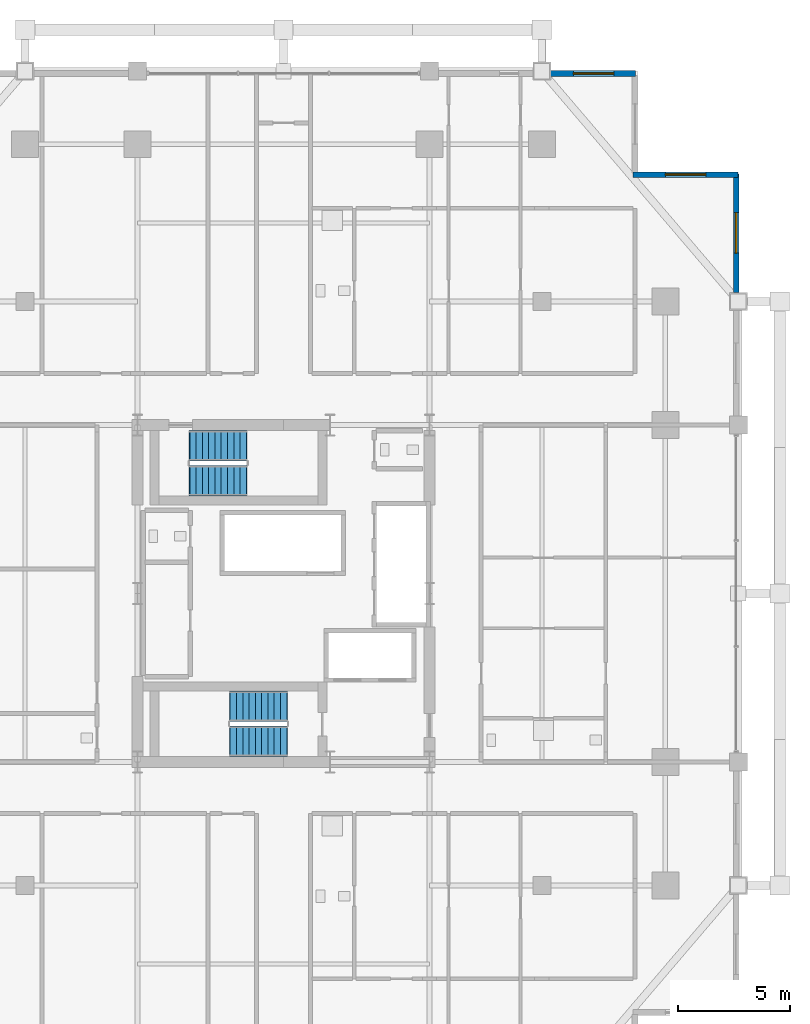
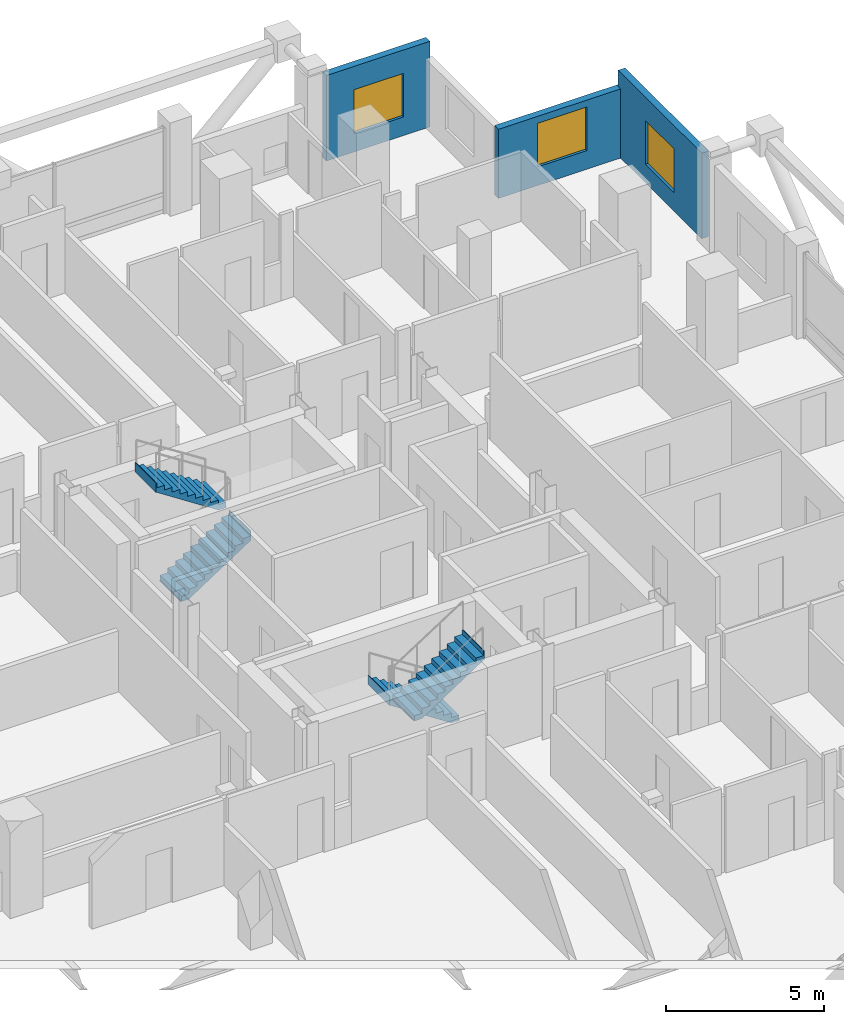
# One storey, part 23 of 25: 4 stair flights, 3 walls, 3 windows, 3 openings, 2 elements without a shape of their own.
"""IFC4 building model written with IfcOpenShell, lengths in metres."""

import ifcopenshell
import ifcopenshell.guid

model = None  # the IFC model being written
_history = None  # IfcOwnerHistory: only IFC2X3 demands one
_inside = {}  # id of a spatial element -> (the spatial element, [elements in it])
_under = {}  # id of a project, library or spatial element -> (it, [spatial elements below it])
_declared = {}  # id of a project -> (the project, [libraries it declares])
_typed = {}  # id of a type object -> (the type object, [elements of that type])
_made_of = {}  # id of a material, layer set ... -> (it, [elements and type objects made of it])


def new_model(schema):
    """Start an empty IFC model of exactly this schema.

    Asked for "IFC4X3", IfcOpenShell would pick the latest addendum, in which some entities
    have other attributes; the version numbers below select the first issue.
    IFC2X3 requires an IfcOwnerHistory on every rooted entity: one is made here for all.
    """
    global model, _history
    if schema == "IFC4X3":
        model = ifcopenshell.file(schema_version=(4, 3, 0, 0))
    else:
        model = ifcopenshell.file(schema=schema)
    _inside.clear()
    _under.clear()
    _declared.clear()
    _typed.clear()
    _made_of.clear()
    _history = None
    if model.schema == "IFC2X3":
        org = make("IfcOrganization", Name="unknown")
        user = make(
            "IfcPersonAndOrganization",
            ThePerson=make("IfcPerson", FamilyName="unknown"),
            TheOrganization=org,
        )
        app = make(
            "IfcApplication",
            ApplicationDeveloper=org,
            Version="unknown",
            ApplicationFullName="unknown",
            ApplicationIdentifier="unknown",
        )
        _history = make(
            "IfcOwnerHistory",
            OwningUser=user,
            OwningApplication=app,
            ChangeAction="ADDED",
            CreationDate=0,
        )
    return model


def make(cls, **values):
    """One entity of the class cls with the attributes given. An attribute that is None is left unset."""
    return model.create_entity(
        cls, **{name: value for name, value in values.items() if value is not None}
    )


def rooted(cls, **values):
    """An entity with a GlobalId (a new one), such as an element, a storey or a relation."""
    return make(cls, GlobalId=ifcopenshell.guid.new(), OwnerHistory=_history, **values)


def si_unit(unit_type, name, prefix=None):
    """IfcSIUnit, for example si_unit("LENGTHUNIT", "METRE", prefix="MILLI")."""
    return make("IfcSIUnit", UnitType=unit_type, Prefix=prefix, Name=name)


def assignment(units):
    """IfcUnitAssignment: the units of a project."""
    return None if units is None else make("IfcUnitAssignment", Units=units)


def point(xyz):
    """IfcCartesianPoint."""
    return None if xyz is None else make("IfcCartesianPoint", Coordinates=xyz)


def direction(xyz):
    """IfcDirection."""
    return None if xyz is None else make("IfcDirection", DirectionRatios=xyz)


def frame(location, z_axis=None, x_axis=None):
    """IfcAxis2Placement3D, a coordinate frame: its origin and axes. An axis left out is left unset."""
    return make(
        "IfcAxis2Placement3D",
        Location=point(location),
        Axis=direction(z_axis),
        RefDirection=direction(x_axis),
    )


def frame_2d(location, x_axis=None):
    """IfcAxis2Placement2D, a coordinate frame in the plane: its origin and x axis."""
    return make(
        "IfcAxis2Placement2D", Location=point(location), RefDirection=direction(x_axis)
    )


def origin():
    """The frame at (0, 0, 0) with its axes left unset."""
    return frame((0.0, 0.0, 0.0))


def place(relative_to, where):
    """IfcLocalPlacement: puts the frame where relative to a parent placement (None: the world)."""
    return make(
        "IfcLocalPlacement", PlacementRelTo=relative_to, RelativePlacement=where
    )


def context(
    kind, dimensions, precision=None, world=None, true_north=None, identifier=None
):
    """IfcGeometricRepresentationContext, for example the 3D "Model" context."""
    return make(
        "IfcGeometricRepresentationContext",
        ContextIdentifier=identifier,
        ContextType=kind,
        CoordinateSpaceDimension=dimensions,
        Precision=precision,
        WorldCoordinateSystem=world,
        TrueNorth=true_north,
    )


def subcontext(parent, identifier, kind, view, scale=None):
    """IfcGeometricRepresentationSubContext, for example "Body" below "Model"."""
    return make(
        "IfcGeometricRepresentationSubContext",
        ContextIdentifier=identifier,
        ContextType=kind,
        ParentContext=parent,
        TargetScale=scale,
        TargetView=view,
    )


def project(units=None, contexts=None):
    """IfcProject with its units and contexts."""
    return rooted(
        "IfcProject",
        Name="project",
        RepresentationContexts=contexts,
        UnitsInContext=assignment(units),
    )


def spatial(cls, under=None, at=None, **own):
    """A site, building, storey or space (cls), placed at a placement, below another one or the project."""
    s = rooted(cls, ObjectPlacement=at, **own)
    if under is not None:
        _under.setdefault(under.id(), (under, []))[1].append(s)
    return s


def polyline(points):
    """IfcPolyline through the points."""
    return make("IfcPolyline", Points=[point(p) for p in points])


def profile(cls, at=None, kind="AREA", **sizes):
    """A parametric profile (cls). Its sizes go by their IFC names, for example OverallWidth=200.0."""
    return make(cls, ProfileType=kind, Position=at, **sizes)


def rectangle(**sizes):
    """IfcRectangleProfileDef."""
    return profile("IfcRectangleProfileDef", **sizes)


def outline(outer, holes=None, kind="AREA"):
    """IfcArbitraryClosedProfileDef: a profile drawn as a closed curve; with holes, ...WithVoids."""
    if holes is None:
        return make("IfcArbitraryClosedProfileDef", ProfileType=kind, OuterCurve=outer)
    return make(
        "IfcArbitraryProfileDefWithVoids",
        ProfileType=kind,
        OuterCurve=outer,
        InnerCurves=holes,
    )


def extrude(swept, where, along, depth):
    """IfcExtrudedAreaSolid: the profile swept, set in the frame where, extruded along a direction by depth."""
    return make(
        "IfcExtrudedAreaSolid",
        SweptArea=swept,
        Position=where,
        ExtrudedDirection=direction(along),
        Depth=depth,
    )


def shape(context_of_items, identifier, shape_type, items):
    """IfcShapeRepresentation: the items that make up one representation, for example the "Body"."""
    return make(
        "IfcShapeRepresentation",
        ContextOfItems=context_of_items,
        RepresentationIdentifier=identifier,
        RepresentationType=shape_type,
        Items=items,
    )


def material(Name=None, Category=None):
    """IfcMaterial."""
    return make("IfcMaterial", Name=Name, Category=Category)


def layer(
    of_material, thickness, ventilated=None, Name=None, Category=None, Priority=None
):
    """IfcMaterialLayer: one layer of a wall or slab, of a material (None: an air gap)."""
    return make(
        "IfcMaterialLayer",
        Material=of_material,
        LayerThickness=thickness,
        IsVentilated=ventilated,
        Name=Name,
        Category=Category,
        Priority=Priority,
    )


def layer_set(layers, Name=None):
    """IfcMaterialLayerSet."""
    return make("IfcMaterialLayerSet", MaterialLayers=layers, LayerSetName=Name)


def made_of(thing, what):
    """Note that an element or type object is made of a material, layer set ...; save() writes the relation."""
    if what is not None:
        _made_of.setdefault(what.id(), (what, []))[1].append(thing)
    return thing


def type_object(cls, material=None, **own):
    """A type object (cls), such as IfcWallType, which elements share."""
    return made_of(rooted(cls, **own), material)


def element(
    cls,
    number,
    at=None,
    inside=None,
    cuts=None,
    type_object=None,
    material=None,
    context=None,
    identifier="Body",
    shape_type=None,
    held_by="IfcProductDefinitionShape",
    body=None,
    shapes=None,
    **own,
):
    """One element of the class cls, such as IfcWall. Its Tag is "e" and its number.

    at: its placement. inside: the storey or other place that contains it. cuts: it is an
    opening in that element (IfcRelVoidsElement). A single representation is given by context,
    identifier, shape_type and body (its items); several are given by shapes. held_by: the class
    of the entity that holds the representations. save() writes the other relations.
    """
    e = rooted(cls, Tag="e%d" % number, ObjectPlacement=at, **own)
    if body is not None:
        shapes = [shape(context, identifier, shape_type, body)]
    if shapes is not None:
        e.Representation = make(held_by, Representations=shapes)
    if inside is not None:
        _inside.setdefault(inside.id(), (inside, []))[1].append(e)
    if cuts is not None:
        rooted(
            "IfcRelVoidsElement", RelatingBuildingElement=cuts, RelatedOpeningElement=e
        )
    if type_object is not None:
        _typed.setdefault(type_object.id(), (type_object, []))[1].append(e)
    return made_of(e, material)


def fill(opening, filler):
    """IfcRelFillsElement: the door or window that sits in an opening."""
    return rooted(
        "IfcRelFillsElement",
        RelatingOpeningElement=opening,
        RelatedBuildingElement=filler,
    )


def aggregate(whole, parts):
    """IfcRelAggregates: a whole, such as a stair, and the parts it consists of."""
    return rooted("IfcRelAggregates", RelatingObject=whole, RelatedObjects=parts)


def save(model, path):
    """Write the relations noted so far, then the file.

    IfcRelAggregates (storeys below a building ...), IfcRelContainedInSpatialStructure (elements
    in a storey), IfcRelDefinesByType, IfcRelAssociatesMaterial and IfcRelDeclares: one each for
    every whole, place, type object, material and project.
    """
    for whole, parts in _under.values():
        aggregate(whole, parts)
    for where, things in _inside.values():
        rooted(
            "IfcRelContainedInSpatialStructure",
            RelatedElements=things,
            RelatingStructure=where,
        )
    for kind, things in _typed.values():
        rooted("IfcRelDefinesByType", RelatedObjects=things, RelatingType=kind)
    for what, things in _made_of.values():
        rooted("IfcRelAssociatesMaterial", RelatedObjects=things, RelatingMaterial=what)
    for by, libraries in _declared.values():
        rooted("IfcRelDeclares", RelatingContext=by, RelatedDefinitions=libraries)
    model.write(path)


model = new_model("IFC4")

# Units and contexts
model_context = context("Model", 3, precision=1e-05, world=origin(), true_north=direction((0.0, 1.0)))
body_context = subcontext(model_context, "Body", "Model", "MODEL_VIEW")
ifc_project = project(units=[si_unit("LENGTHUNIT", "METRE"), si_unit("AREAUNIT", "SQUARE_METRE"), si_unit("VOLUMEUNIT", "CUBIC_METRE"), si_unit("PLANEANGLEUNIT", "RADIAN"), si_unit("MASSUNIT", "GRAM", prefix="KILO")], contexts=[model_context])

# Site, building, storey
site_placement = place(None, origin())
site = spatial("IfcSite", under=ifc_project, at=site_placement, CompositionType="ELEMENT")
building_placement = place(site_placement, origin())
building = spatial("IfcBuilding", under=site, at=building_placement, Name="Barlavira Tower and Art Museum", CompositionType="ELEMENT")
storey_placement = place(building_placement, frame((0.0, 0.0, 162.0)))
storey = spatial("IfcBuildingStorey", under=building, at=storey_placement, Name="L41", CompositionType="ELEMENT", Elevation=162.0)

# Wall, opening, window
ifc_material_1 = material(Name="Precast concrete C40", Category="concrete")
ifc_layer = layer(ifc_material_1, 0.25, Name="Precast concrete C40")
ifc_layer_set = layer_set([ifc_layer], Name="Precast concrete C40")
wall_type = type_object("IfcWallType", Name="Notched Corner Spandrel Wall 250 Precast Concrete C40", PredefinedType="SOLIDWALL", material=ifc_layer_set)
wall_1_placement = place(storey_placement, frame((15.675048828125, 23.14990234375, 0.0), z_axis=(0.0, 0.0, 1.0), x_axis=(-1.0, 0.0, 0.0)))
wall_1 = element("IfcWall", 1, at=wall_1_placement, inside=storey, type_object=wall_type, Name="L41 Coastal Facade Pier Wall CW2-L41-N-1", PredefinedType="SOLIDWALL", context=body_context, shape_type="SweptSolid", body=[
    extrude(rectangle(XDim=3.780029296875, YDim=0.25, at=frame_2d((1.89013671875, 0.0))), origin(), (0.0, 0.0, 1.0), 3.300048828125),
])
opening_1_placement = place(wall_1_placement, frame((0.968017578125, 0.0, 0.719970703125)))
opening_1 = element("IfcOpeningElement", 2, at=opening_1_placement, cuts=wall_1, Name="Opening WN-01", PredefinedType="OPENING", context=body_context, shape_type="SweptSolid", body=[
    extrude(rectangle(XDim=1.800048828125, YDim=1.679931640625, at=frame_2d((0.89990234375, 0.83984375))), frame((0.0, 0.135009765625, 0.0), z_axis=(0.0, -1.0, 0.0), x_axis=(1.0, 0.0, 0.0)), (0.0, 0.0, 1.0), 0.27001953125),
])
ifc_material_2 = material(Name="Low-iron coastal laminated glass", Category="glass")
window_type = type_object("IfcWindowType", Name="Recessed Notch Corner Punch Window 1800x1680", PartitioningType="SINGLE_PANEL", PredefinedType="WINDOW", material=ifc_material_2)
window_1_placement = place(opening_1_placement, origin())
window_1 = element("IfcWindow", 3, at=window_1_placement, inside=storey, type_object=window_type, Name="L41 Punched Facade Window EWP-CW2-L41-N-1-1", OverallHeight=1.679931640625, OverallWidth=1.800048828125, PartitioningType="SINGLE_PANEL", PredefinedType="WINDOW", context=body_context, shape_type="SweptSolid", body=[
    extrude(rectangle(XDim=1.800048828125, YDim=1.679931640625, at=frame_2d((0.89990234375, 0.83984375))), frame((0.0, 0.030029296875, 0.0), z_axis=(0.0, -1.0, 0.0), x_axis=(1.0, 0.0, 0.0)), (0.0, 0.0, 1.0), 0.06005859375),
])
fill(opening_1, window_1)

wall_2_placement = place(storey_placement, frame((20.14990234375, 13.39501953125, 0.0), z_axis=(0.0, 0.0, 1.0), x_axis=(0.0, 1.0, 0.0)))
wall_2 = element("IfcWall", 4, at=wall_2_placement, inside=storey, type_object=wall_type, Name="L41 Coastal Facade Pier Wall CW2-L41-E-5", PredefinedType="SOLIDWALL", context=body_context, shape_type="SweptSolid", body=[
    extrude(rectangle(XDim=5.280029296875, YDim=0.25, at=frame_2d((2.64013671875, 0.0))), origin(), (0.0, 0.0, 1.0), 3.300048828125),
])
opening_2_placement = place(wall_2_placement, frame((1.762939453125, 0.0, 0.719970703125)))
opening_2 = element("IfcOpeningElement", 5, at=opening_2_placement, cuts=wall_2, Name="Opening WN-01", PredefinedType="OPENING", context=body_context, shape_type="SweptSolid", body=[
    extrude(rectangle(XDim=1.800048828125, YDim=1.679931640625, at=frame_2d((0.89990234375, 0.83984375))), frame((0.0, 0.135009765625, 0.0), z_axis=(0.0, -1.0, 0.0), x_axis=(1.0, 0.0, 0.0)), (0.0, 0.0, 1.0), 0.27001953125),
])
window_2_placement = place(opening_2_placement, origin())
window_2 = element("IfcWindow", 6, at=window_2_placement, inside=storey, type_object=window_type, Name="L41 Punched Facade Window EWP-CW2-L41-E-5-1", OverallHeight=1.679931640625, OverallWidth=1.800048828125, PartitioningType="SINGLE_PANEL", PredefinedType="WINDOW", context=body_context, shape_type="SweptSolid", body=[
    extrude(rectangle(XDim=1.800048828125, YDim=1.679931640625, at=frame_2d((0.89990234375, 0.83984375))), frame((0.0, 0.030029296875, 0.0), z_axis=(0.0, -1.0, 0.0), x_axis=(1.0, 0.0, 0.0)), (0.0, 0.0, 1.0), 0.06005859375),
])
fill(opening_2, window_2)

wall_3_placement = place(storey_placement, frame((20.22998046875, 18.64990234375, 0.0), z_axis=(0.0, 0.0, 1.0), x_axis=(-1.0, 0.0, 0.0)))
wall_3 = element("IfcWall", 7, at=wall_3_placement, inside=storey, type_object=wall_type, Name="L41 Notch Corner Wall NE1", PredefinedType="SOLIDWALL", context=body_context, shape_type="SweptSolid", body=[
    extrude(rectangle(XDim=4.659912109375, YDim=0.25, at=frame_2d((2.330078125, 0.0))), origin(), (0.0, 0.0, 1.0), 2.66796875),
])
opening_3_placement = place(wall_3_placement, frame((1.429931640625, 0.0, 0.719970703125)))
opening_3 = element("IfcOpeningElement", 8, at=opening_3_placement, cuts=wall_3, Name="Opening WN-01", PredefinedType="OPENING", context=body_context, shape_type="SweptSolid", body=[
    extrude(rectangle(XDim=1.800048828125, YDim=1.679931640625, at=frame_2d((0.89990234375, 0.83984375))), frame((0.0, 0.135009765625, 0.0), z_axis=(0.0, -1.0, 0.0), x_axis=(1.0, 0.0, 0.0)), (0.0, 0.0, 1.0), 0.27001953125),
])
window_3_placement = place(opening_3_placement, origin())
window_3 = element("IfcWindow", 9, at=window_3_placement, inside=storey, type_object=window_type, Name="L41 Punched Facade Window EW-NTC-L41-NE1-1", OverallHeight=1.679931640625, OverallWidth=1.800048828125, PartitioningType="SINGLE_PANEL", PredefinedType="WINDOW", context=body_context, shape_type="SweptSolid", body=[
    extrude(rectangle(XDim=1.800048828125, YDim=1.679931640625, at=frame_2d((0.89990234375, 0.83984375))), frame((0.0, 0.030029296875, 0.0), z_axis=(0.0, -1.0, 0.0), x_axis=(1.0, 0.0, 0.0)), (0.0, 0.0, 1.0), 0.06005859375),
])
fill(opening_3, window_3)

# Stair, stair flights
ifc_material_3 = material(Name="Concrete C45", Category="concrete")
stair_type_1 = type_object("IfcStairType", Name="Tower North Dog-Leg Exit Stair Assembly Concrete C45", PredefinedType="TWO_QUARTER_TURN_STAIR", material=ifc_material_3)
stair_1_placement = place(storey_placement, origin())
stair_1 = element("IfcStair", 10, at=stair_1_placement, inside=storey, type_object=stair_type_1, Name="L41 Tower North Exit Stair ST-T2", PredefinedType="TWO_QUARTER_TURN_STAIR")
ifc_material_4 = material(Name="Precast concrete C45", Category="concrete")
stair_flight_type_1 = type_object("IfcStairFlightType", Name="Tower North Dog-Leg Exit Stair Precast Flight 1350 Concrete C45", PredefinedType="STRAIGHT", material=ifc_material_4)
stair_flight_1_placement = place(storey_placement, frame((-4.169921875, 5.02490234375, 0.0), z_axis=(0.0, 0.0, 1.0), x_axis=(1.0, 0.0, 0.0)))
stair_flight_1 = element("IfcStairFlight", 11, at=stair_flight_1_placement, type_object=stair_flight_type_1, Name="ST-T2 flight 1", NumberOfRisers=10, NumberOfTreads=9, PredefinedType="STRAIGHT", RiserHeight=0.18, TreadLength=0.28, context=body_context, shape_type="SweptSolid", body=[
    extrude(outline(polyline([(-0.02490234375, 0.0), (0.0, 0.0), (0.0, 0.179931640625), (0.280029296875, 0.179931640625), (0.280029296875, 0.360107421875), (0.56005859375, 0.360107421875), (0.56005859375, 0.5400390625), (0.840087890625, 0.5400390625), (0.840087890625, 0.719970703125), (1.1201171875, 0.719970703125), (1.1201171875, 0.89990234375), (1.39990234375, 0.89990234375), (1.39990234375, 1.080078125), (1.679931640625, 1.080078125), (1.679931640625, 1.260009765625), (1.9599609375, 1.260009765625), (1.9599609375, 1.43994140625), (2.239990234375, 1.43994140625), (2.239990234375, 1.6201171875), (2.52001953125, 1.6201171875), (2.52001953125, 1.800048828125), (2.544921875, 1.800048828125), (2.544921875, 1.44189453125), (2.52001953125, 1.44189453125), (0.277099609375, -0.02490234375), (-0.02490234375, -0.02490234375), (-0.02490234375, 0.0)])), frame((0.0, 0.675048828125, 0.0), z_axis=(0.0, -1.0, 0.0), x_axis=(1.0, 0.0, 0.0)), (0.0, 0.0, 1.0), 1.35009765625),
])
stair_flight_2_placement = place(storey_placement, frame((-1.64990234375, 6.574951171875, 1.800048828125), z_axis=(0.0, 0.0, 1.0), x_axis=(-1.0, 0.0, 0.0)))
stair_flight_2 = element("IfcStairFlight", 12, at=stair_flight_2_placement, type_object=stair_flight_type_1, Name="ST-T2 flight 2", NumberOfRisers=10, NumberOfTreads=9, PredefinedType="STRAIGHT", RiserHeight=0.18, TreadLength=0.28, context=body_context, shape_type="SweptSolid", body=[
    extrude(outline(polyline([(-0.02490234375, 0.0), (0.0, 0.0), (0.0, 0.179931640625), (0.280029296875, 0.179931640625), (0.280029296875, 0.360107421875), (0.56005859375, 0.360107421875), (0.56005859375, 0.5400390625), (0.840087890625, 0.5400390625), (0.840087890625, 0.719970703125), (1.1201171875, 0.719970703125), (1.1201171875, 0.89990234375), (1.39990234375, 0.89990234375), (1.39990234375, 1.080078125), (1.679931640625, 1.080078125), (1.679931640625, 1.260009765625), (1.9599609375, 1.260009765625), (1.9599609375, 1.43994140625), (2.239990234375, 1.43994140625), (2.239990234375, 1.6201171875), (2.52001953125, 1.6201171875), (2.52001953125, 1.800048828125), (2.544921875, 1.800048828125), (2.544921875, 1.44189453125), (2.52001953125, 1.44189453125), (0.277099609375, -0.02490234375), (-0.02490234375, -0.02490234375), (-0.02490234375, 0.0)])), frame((0.0, 0.675048828125, 0.0), z_axis=(0.0, -1.0, 0.0), x_axis=(1.0, 0.0, 0.0)), (0.0, 0.0, 1.0), 1.35009765625),
])
aggregate(stair_1, [stair_flight_1, stair_flight_2])

stair_type_2 = type_object("IfcStairType", Name="Tower South Dog-Leg Exit Stair Assembly Concrete C45", PredefinedType="TWO_QUARTER_TURN_STAIR", material=ifc_material_3)
stair_2_placement = place(storey_placement, origin())
stair_2 = element("IfcStair", 13, at=stair_2_placement, inside=storey, type_object=stair_type_2, Name="L41 Tower South Exit Stair ST-T1", PredefinedType="TWO_QUARTER_TURN_STAIR")
stair_flight_type_2 = type_object("IfcStairFlightType", Name="Tower South Dog-Leg Exit Stair Precast Flight 1350 Concrete C45", PredefinedType="STRAIGHT", material=ifc_material_4)
stair_flight_3_placement = place(storey_placement, frame((0.14990234375, -5.02490234375, 0.0), z_axis=(0.0, 0.0, 1.0), x_axis=(-1.0, 0.0, 0.0)))
stair_flight_3 = element("IfcStairFlight", 14, at=stair_flight_3_placement, type_object=stair_flight_type_2, Name="ST-T1 flight 1", NumberOfRisers=10, NumberOfTreads=9, PredefinedType="STRAIGHT", RiserHeight=0.18, TreadLength=0.28, context=body_context, shape_type="SweptSolid", body=[
    extrude(outline(polyline([(-0.02490234375, 0.0), (0.0, 0.0), (0.0, 0.179931640625), (0.280029296875, 0.179931640625), (0.280029296875, 0.360107421875), (0.56005859375, 0.360107421875), (0.56005859375, 0.5400390625), (0.840087890625, 0.5400390625), (0.840087890625, 0.719970703125), (1.1201171875, 0.719970703125), (1.1201171875, 0.89990234375), (1.39990234375, 0.89990234375), (1.39990234375, 1.080078125), (1.679931640625, 1.080078125), (1.679931640625, 1.260009765625), (1.9599609375, 1.260009765625), (1.9599609375, 1.43994140625), (2.239990234375, 1.43994140625), (2.239990234375, 1.6201171875), (2.52001953125, 1.6201171875), (2.52001953125, 1.800048828125), (2.544921875, 1.800048828125), (2.544921875, 1.44189453125), (2.52001953125, 1.44189453125), (0.277099609375, -0.02490234375), (-0.02490234375, -0.02490234375), (-0.02490234375, 0.0)])), frame((0.0, 0.675048828125, 0.0), z_axis=(0.0, -1.0, 0.0), x_axis=(1.0, 0.0, 0.0)), (0.0, 0.0, 1.0), 1.35009765625),
])
stair_flight_4_placement = place(storey_placement, frame((-2.3701171875, -6.574951171875, 1.800048828125), z_axis=(0.0, 0.0, 1.0), x_axis=(1.0, 0.0, 0.0)))
stair_flight_4 = element("IfcStairFlight", 15, at=stair_flight_4_placement, type_object=stair_flight_type_2, Name="ST-T1 flight 2", NumberOfRisers=10, NumberOfTreads=9, PredefinedType="STRAIGHT", RiserHeight=0.18, TreadLength=0.28, context=body_context, shape_type="SweptSolid", body=[
    extrude(outline(polyline([(-0.02490234375, 0.0), (0.0, 0.0), (0.0, 0.179931640625), (0.280029296875, 0.179931640625), (0.280029296875, 0.360107421875), (0.56005859375, 0.360107421875), (0.56005859375, 0.5400390625), (0.840087890625, 0.5400390625), (0.840087890625, 0.719970703125), (1.1201171875, 0.719970703125), (1.1201171875, 0.89990234375), (1.39990234375, 0.89990234375), (1.39990234375, 1.080078125), (1.679931640625, 1.080078125), (1.679931640625, 1.260009765625), (1.9599609375, 1.260009765625), (1.9599609375, 1.43994140625), (2.239990234375, 1.43994140625), (2.239990234375, 1.6201171875), (2.52001953125, 1.6201171875), (2.52001953125, 1.800048828125), (2.544921875, 1.800048828125), (2.544921875, 1.44189453125), (2.52001953125, 1.44189453125), (0.277099609375, -0.02490234375), (-0.02490234375, -0.02490234375), (-0.02490234375, 0.0)])), frame((0.0, 0.675048828125, 0.0), z_axis=(0.0, -1.0, 0.0), x_axis=(1.0, 0.0, 0.0)), (0.0, 0.0, 1.0), 1.35009765625),
])
aggregate(stair_2, [stair_flight_3, stair_flight_4])

save(model, "model.ifc")
